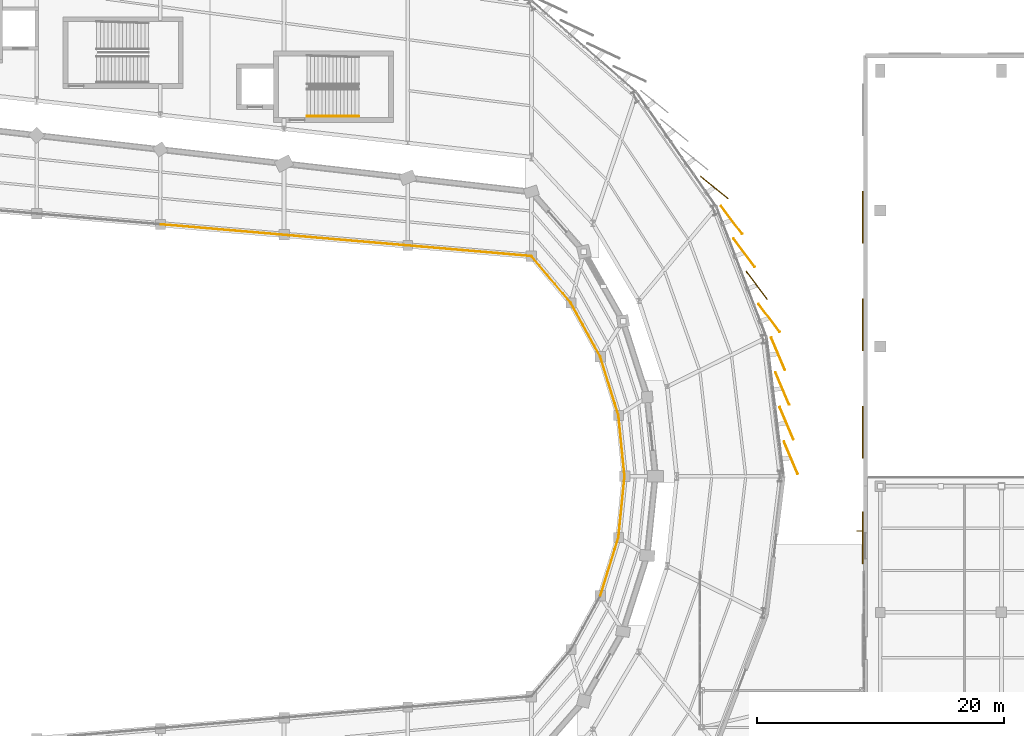
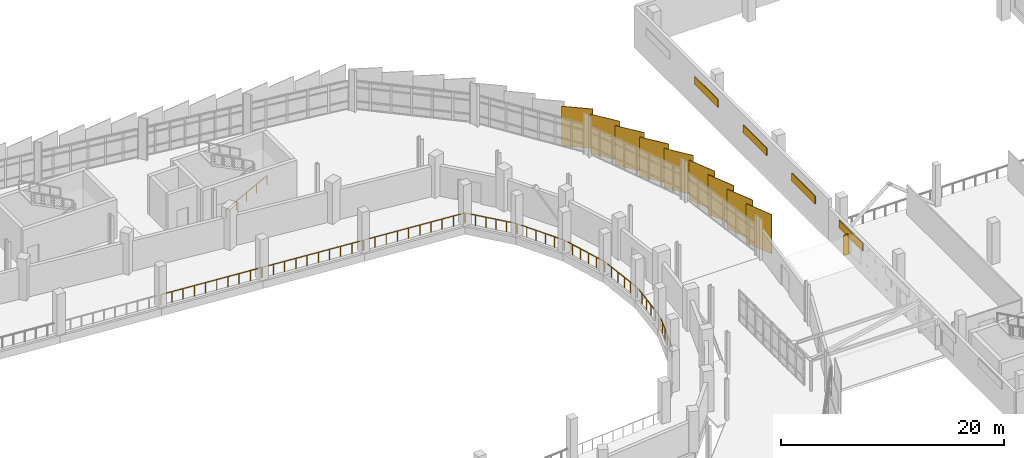
# One storey, part 123 of 125: 13 coverings, 10 railings, 1 shading device.
"""IFC4 building model written with IfcOpenShell, lengths in metres."""

from ifc_helpers import new_model, si_unit, direction, frame, origin, origin_2d, place, context, subcontext, project, spatial, rectangle, circle, extrude, material, layer, layer_set, type_object, element, save


model = new_model("IFC4")

# Units and contexts
model_context = context("Model", 3, precision=1e-05, world=origin(), true_north=direction((0.0, 1.0)))
body_context = subcontext(model_context, "Body", "Model", "MODEL_VIEW")
ifc_project = project(units=[si_unit("LENGTHUNIT", "METRE"), si_unit("AREAUNIT", "SQUARE_METRE"), si_unit("VOLUMEUNIT", "CUBIC_METRE"), si_unit("PLANEANGLEUNIT", "RADIAN"), si_unit("MASSUNIT", "GRAM", prefix="KILO")], contexts=[model_context])

# Site, building, storey
site_placement = place(None, origin())
site = spatial("IfcSite", under=ifc_project, at=site_placement, CompositionType="ELEMENT")
building_placement = place(site_placement, origin())
building = spatial("IfcBuilding", under=site, at=building_placement, Name="Sohan Crest Arena", CompositionType="ELEMENT")
storey_placement = place(building_placement, frame((0.0, 0.0, 9.0)))
storey = spatial("IfcBuildingStorey", under=building, at=storey_placement, Name="L02", CompositionType="ELEMENT", Elevation=9.0)

# Railings
ifc_material_1 = material(Name="Laminated glass and steel sightline guard", Category="steel")
railing_type_1 = type_object("IfcRailingType", Name="ARC-GRD-02", PredefinedType="GUARDRAIL", material=ifc_material_1)
railing_1_placement = place(storey_placement, frame((173.5830078125, 68.3740234375, 0.0)))
element("IfcRailing", 1, at=railing_1_placement, inside=storey, type_object=railing_type_1, Name="Bowl gallery edge guard GRD-239", PredefinedType="GUARDRAIL", context=body_context, shape_type="SweptSolid", body=[
    extrude(circle(Radius=0.02392578125, at=origin_2d()), frame((0.0, 0.0, 1.1259765625), z_axis=(0.295710925601, 0.955277471984, 0.0), x_axis=(-0.955277471984, 0.295710925601, 0.0)), (0.0, 0.0, 1.0), 4.8759765625),
    extrude(circle(Radius=0.02099609375, at=origin_2d()), origin(), (0.0, 0.0, 1.0), 1.101806640625),
    extrude(circle(Radius=0.02099609375, at=origin_2d()), frame((0.288330078125, 0.931640625, 0.0)), (0.0, 0.0, 1.0), 1.101806640625),
    extrude(circle(Radius=0.02099609375, at=origin_2d()), frame((0.57666015625, 1.86328125, 0.0)), (0.0, 0.0, 1.0), 1.101806640625),
    extrude(circle(Radius=0.02099609375, at=origin_2d()), frame((0.865234375, 2.794677734375, 0.0)), (0.0, 0.0, 1.0), 1.101806640625),
    extrude(circle(Radius=0.02099609375, at=origin_2d()), frame((1.153564453125, 3.726318359375, 0.0)), (0.0, 0.0, 1.0), 1.101806640625),
    extrude(circle(Radius=0.02099609375, at=origin_2d()), frame((1.44189453125, 4.657958984375, 0.0)), (0.0, 0.0, 1.0), 1.101806640625),
])
railing_2_placement = place(storey_placement, frame((175.041015625, 73.110107421875, 0.0)))
element("IfcRailing", 2, at=railing_2_placement, inside=storey, type_object=railing_type_1, Name="Bowl gallery edge guard GRD-240", PredefinedType="GUARDRAIL", context=body_context, shape_type="SweptSolid", body=[
    extrude(circle(Radius=0.02392578125, at=origin_2d()), frame((0.0, 0.0, 1.1259765625), z_axis=(0.099925241422, 0.99499494779, 0.0), x_axis=(-0.99499494779, 0.099925241422, 0.0)), (0.0, 0.0, 1.0), 4.874267578125),
    extrude(circle(Radius=0.02099609375, at=origin_2d()), origin(), (0.0, 0.0, 1.0), 1.101806640625),
    extrude(circle(Radius=0.02099609375, at=origin_2d()), frame((0.097412109375, 0.969970703125, 0.0)), (0.0, 0.0, 1.0), 1.101806640625),
    extrude(circle(Radius=0.02099609375, at=origin_2d()), frame((0.19482421875, 1.93994140625, 0.0)), (0.0, 0.0, 1.0), 1.101806640625),
    extrude(circle(Radius=0.02099609375, at=origin_2d()), frame((0.292236328125, 2.909912109375, 0.0)), (0.0, 0.0, 1.0), 1.101806640625),
    extrude(circle(Radius=0.02099609375, at=origin_2d()), frame((0.3896484375, 3.8798828125, 0.0)), (0.0, 0.0, 1.0), 1.101806640625),
    extrude(circle(Radius=0.02099609375, at=origin_2d()), frame((0.487060546875, 4.849853515625, 0.0)), (0.0, 0.0, 1.0), 1.101806640625),
])
railing_3_placement = place(storey_placement, frame((175.528076171875, 78.0400390625, 0.0)))
element("IfcRailing", 3, at=railing_3_placement, inside=storey, type_object=railing_type_1, Name="Bowl gallery edge guard GRD-241", PredefinedType="GUARDRAIL", context=body_context, shape_type="SweptSolid", body=[
    extrude(circle(Radius=0.02392578125, at=origin_2d()), frame((0.0, 0.0, 1.1259765625), z_axis=(-0.099925241422, 0.99499494779, 0.0), x_axis=(-0.99499494779, -0.099925241422, 0.0)), (0.0, 0.0, 1.0), 4.874267578125),
    extrude(circle(Radius=0.02099609375, at=origin_2d()), origin(), (0.0, 0.0, 1.0), 1.101806640625),
    extrude(circle(Radius=0.02099609375, at=origin_2d()), frame((-0.097412109375, 0.969970703125, 0.0)), (0.0, 0.0, 1.0), 1.101806640625),
    extrude(circle(Radius=0.02099609375, at=origin_2d()), frame((-0.19482421875, 1.93994140625, 0.0)), (0.0, 0.0, 1.0), 1.101806640625),
    extrude(circle(Radius=0.02099609375, at=origin_2d()), frame((-0.292236328125, 2.909912109375, 0.0)), (0.0, 0.0, 1.0), 1.101806640625),
    extrude(circle(Radius=0.02099609375, at=origin_2d()), frame((-0.3896484375, 3.8798828125, 0.0)), (0.0, 0.0, 1.0), 1.101806640625),
    extrude(circle(Radius=0.02099609375, at=origin_2d()), frame((-0.487060546875, 4.849853515625, 0.0)), (0.0, 0.0, 1.0), 1.101806640625),
])
railing_4_placement = place(storey_placement, frame((175.02490234375, 82.968017578125, 0.0)))
element("IfcRailing", 4, at=railing_4_placement, inside=storey, type_object=railing_type_1, Name="Bowl gallery edge guard GRD-242", PredefinedType="GUARDRAIL", context=body_context, shape_type="SweptSolid", body=[
    extrude(circle(Radius=0.02392578125, at=origin_2d()), frame((0.0, 0.0, 1.1259765625), z_axis=(-0.295710925601, 0.955277471984, 0.0), x_axis=(-0.955277471984, -0.295710925601, 0.0)), (0.0, 0.0, 1.0), 4.8759765625),
    extrude(circle(Radius=0.02099609375, at=origin_2d()), origin(), (0.0, 0.0, 1.0), 1.101806640625),
    extrude(circle(Radius=0.02099609375, at=origin_2d()), frame((-0.288330078125, 0.931640625, 0.0)), (0.0, 0.0, 1.0), 1.101806640625),
    extrude(circle(Radius=0.02099609375, at=origin_2d()), frame((-0.57666015625, 1.86328125, 0.0)), (0.0, 0.0, 1.0), 1.101806640625),
    extrude(circle(Radius=0.02099609375, at=origin_2d()), frame((-0.865234375, 2.794677734375, 0.0)), (0.0, 0.0, 1.0), 1.101806640625),
    extrude(circle(Radius=0.02099609375, at=origin_2d()), frame((-1.153564453125, 3.726318359375, 0.0)), (0.0, 0.0, 1.0), 1.101806640625),
    extrude(circle(Radius=0.02099609375, at=origin_2d()), frame((-1.44189453125, 4.657958984375, 0.0)), (0.0, 0.0, 1.0), 1.101806640625),
])
railing_5_placement = place(storey_placement, frame((173.552001953125, 87.698974609375, 0.0)))
element("IfcRailing", 5, at=railing_5_placement, inside=storey, type_object=railing_type_1, Name="Bowl gallery edge guard GRD-243", PredefinedType="GUARDRAIL", context=body_context, shape_type="SweptSolid", body=[
    extrude(circle(Radius=0.02392578125, at=origin_2d()), frame((0.0, 0.0, 1.1259765625), z_axis=(-0.47973946728, 0.877410988952, 0.0), x_axis=(-0.877410988952, -0.47973946728, 0.0)), (0.0, 0.0, 1.0), 4.875732421875),
    extrude(circle(Radius=0.02099609375, at=origin_2d()), origin(), (0.0, 0.0, 1.0), 1.101806640625),
    extrude(circle(Radius=0.02099609375, at=origin_2d()), frame((-0.4677734375, 0.855712890625, 0.0)), (0.0, 0.0, 1.0), 1.101806640625),
    extrude(circle(Radius=0.02099609375, at=origin_2d()), frame((-0.935546875, 1.711181640625, 0.0)), (0.0, 0.0, 1.0), 1.101806640625),
    extrude(circle(Radius=0.02099609375, at=origin_2d()), frame((-1.403564453125, 2.56689453125, 0.0)), (0.0, 0.0, 1.0), 1.101806640625),
    extrude(circle(Radius=0.02099609375, at=origin_2d()), frame((-1.871337890625, 3.42236328125, 0.0)), (0.0, 0.0, 1.0), 1.101806640625),
    extrude(circle(Radius=0.02099609375, at=origin_2d()), frame((-2.339111328125, 4.278076171875, 0.0)), (0.0, 0.0, 1.0), 1.101806640625),
])
railing_6_placement = place(storey_placement, frame((171.16796875, 92.04296875, 0.0)))
element("IfcRailing", 6, at=railing_6_placement, inside=storey, type_object=railing_type_1, Name="Bowl gallery edge guard GRD-244", PredefinedType="GUARDRAIL", context=body_context, shape_type="SweptSolid", body=[
    extrude(circle(Radius=0.02392578125, at=origin_2d()), frame((0.0, 0.0, 1.1259765625), z_axis=(-0.644656953224, 0.764471982914, 0.0), x_axis=(-0.764471982914, -0.644656953224, 0.0)), (0.0, 0.0, 1.0), 4.8740234375),
    extrude(circle(Radius=0.02099609375, at=origin_2d()), origin(), (0.0, 0.0, 1.0), 1.101806640625),
    extrude(circle(Radius=0.02099609375, at=origin_2d()), frame((-0.62841796875, 0.7451171875, 0.0)), (0.0, 0.0, 1.0), 1.101806640625),
    extrude(circle(Radius=0.02099609375, at=origin_2d()), frame((-1.2568359375, 1.490478515625, 0.0)), (0.0, 0.0, 1.0), 1.101806640625),
    extrude(circle(Radius=0.02099609375, at=origin_2d()), frame((-1.88525390625, 2.235595703125, 0.0)), (0.0, 0.0, 1.0), 1.101806640625),
    extrude(circle(Radius=0.02099609375, at=origin_2d()), frame((-2.513671875, 2.98095703125, 0.0)), (0.0, 0.0, 1.0), 1.101806640625),
    extrude(circle(Radius=0.02099609375, at=origin_2d()), frame((-3.14208984375, 3.72607421875, 0.0)), (0.0, 0.0, 1.0), 1.101806640625),
])
for number, where, name in (
    (7, (167.9599609375, 95.802978515625, 0.0), "Bowl gallery edge guard GRD-245"),
    (8, (157.9599609375, 96.659912109375, 0.0), "Bowl gallery edge guard GRD-246"),
):
    element("IfcRailing", number, at=place(storey_placement, frame(where)), inside=storey, type_object=railing_type_1, Name=name, PredefinedType="GUARDRAIL", context=body_context, shape_type="SweptSolid", body=[
        extrude(circle(Radius=0.02392578125, at=origin_2d()), frame((0.0, 0.0, 1.1259765625), z_axis=(-0.996339849936, 0.085480427173, 0.0), x_axis=(-0.085480427173, -0.996339849936, 0.0)), (0.0, 0.0, 1.0), 9.956298828125),
        extrude(circle(Radius=0.02099609375, at=origin_2d()), origin(), (0.0, 0.0, 1.0), 1.101806640625),
        extrude(circle(Radius=0.02099609375, at=origin_2d()), frame((-1.102294921875, 0.094482421875, 0.0)), (0.0, 0.0, 1.0), 1.101806640625),
        extrude(circle(Radius=0.02099609375, at=origin_2d()), frame((-2.204345703125, 0.189208984375, 0.0)), (0.0, 0.0, 1.0), 1.101806640625),
        extrude(circle(Radius=0.02099609375, at=origin_2d()), frame((-3.306640625, 0.28369140625, 0.0)), (0.0, 0.0, 1.0), 1.101806640625),
        extrude(circle(Radius=0.02099609375, at=origin_2d()), frame((-4.408935546875, 0.378173828125, 0.0)), (0.0, 0.0, 1.0), 1.101806640625),
        extrude(circle(Radius=0.02099609375, at=origin_2d()), frame((-5.510986328125, 0.472900390625, 0.0)), (0.0, 0.0, 1.0), 1.101806640625),
        extrude(circle(Radius=0.02099609375, at=origin_2d()), frame((-6.61328125, 0.5673828125, 0.0)), (0.0, 0.0, 1.0), 1.101806640625),
        extrude(circle(Radius=0.02099609375, at=origin_2d()), frame((-7.715576171875, 0.661865234375, 0.0)), (0.0, 0.0, 1.0), 1.101806640625),
        extrude(circle(Radius=0.02099609375, at=origin_2d()), frame((-8.817626953125, 0.756591796875, 0.0)), (0.0, 0.0, 1.0), 1.101806640625),
        extrude(circle(Radius=0.02099609375, at=origin_2d()), frame((-9.919921875, 0.85107421875, 0.0)), (0.0, 0.0, 1.0), 1.101806640625),
    ])
railing_7_placement = place(storey_placement, frame((147.9599609375, 97.51708984375, 0.0)))
element("IfcRailing", 9, at=railing_7_placement, inside=storey, type_object=railing_type_1, Name="Bowl gallery edge guard GRD-247", PredefinedType="GUARDRAIL", context=body_context, shape_type="SweptSolid", body=[
    extrude(circle(Radius=0.02392578125, at=origin_2d()), frame((0.0, 0.0, 1.1259765625), z_axis=(-0.996341938042, 0.085456085206, 0.0), x_axis=(-0.085456085206, -0.996341938042, 0.0)), (0.0, 0.0, 1.0), 9.956298828125),
    extrude(circle(Radius=0.02099609375, at=origin_2d()), origin(), (0.0, 0.0, 1.0), 1.101806640625),
    extrude(circle(Radius=0.02099609375, at=origin_2d()), frame((-1.102294921875, 0.094482421875, 0.0)), (0.0, 0.0, 1.0), 1.101806640625),
    extrude(circle(Radius=0.02099609375, at=origin_2d()), frame((-2.204345703125, 0.18896484375, 0.0)), (0.0, 0.0, 1.0), 1.101806640625),
    extrude(circle(Radius=0.02099609375, at=origin_2d()), frame((-3.306640625, 0.28369140625, 0.0)), (0.0, 0.0, 1.0), 1.101806640625),
    extrude(circle(Radius=0.02099609375, at=origin_2d()), frame((-4.408935546875, 0.378173828125, 0.0)), (0.0, 0.0, 1.0), 1.101806640625),
    extrude(circle(Radius=0.02099609375, at=origin_2d()), frame((-5.510986328125, 0.47265625, 0.0)), (0.0, 0.0, 1.0), 1.101806640625),
    extrude(circle(Radius=0.02099609375, at=origin_2d()), frame((-6.61328125, 0.567138671875, 0.0)), (0.0, 0.0, 1.0), 1.101806640625),
    extrude(circle(Radius=0.02099609375, at=origin_2d()), frame((-7.715576171875, 0.661865234375, 0.0)), (0.0, 0.0, 1.0), 1.101806640625),
    extrude(circle(Radius=0.02099609375, at=origin_2d()), frame((-8.817626953125, 0.75634765625, 0.0)), (0.0, 0.0, 1.0), 1.101806640625),
    extrude(circle(Radius=0.02099609375, at=origin_2d()), frame((-9.919921875, 0.850830078125, 0.0)), (0.0, 0.0, 1.0), 1.101806640625),
])
ifc_material_2 = material(Name="Brushed stainless steel stair handrail", Category="steel")
railing_type_2 = type_object("IfcRailingType", Name="ARC-HR-01", PredefinedType="HANDRAIL", material=ifc_material_2)
railing_8_placement = place(storey_placement, frame((149.85009765625, 107.110107421875, 0.0)))
element("IfcRailing", 10, at=railing_8_placement, inside=storey, type_object=railing_type_2, Name="Stair pitch handrail HR-193", PredefinedType="HANDRAIL", context=body_context, shape_type="SweptSolid", body=[
    extrude(circle(Radius=0.02392578125, at=origin_2d()), frame((0.0, 0.0, 0.97607421875), z_axis=(0.881477684796, 0.0, 0.472225678258), x_axis=(0.0, 1.0, 0.0)), (0.0, 0.0, 1.0), 4.7646484375),
    extrude(circle(Radius=0.02099609375, at=origin_2d()), origin(), (0.0, 0.0, 1.0), 0.951904296875),
    extrude(circle(Radius=0.02099609375, at=origin_2d()), frame((1.050048828125, 0.0, 0.5625)), (0.0, 0.0, 1.0), 0.951904296875),
    extrude(circle(Radius=0.02099609375, at=origin_2d()), frame((2.10009765625, 0.0, 1.125)), (0.0, 0.0, 1.0), 0.951904296875),
    extrude(circle(Radius=0.02099609375, at=origin_2d()), frame((3.14990234375, 0.0, 1.6875)), (0.0, 0.0, 1.0), 0.951904296875),
    extrude(circle(Radius=0.02099609375, at=origin_2d()), frame((4.199951171875, 0.0, 2.25)), (0.0, 0.0, 1.0), 0.951904296875),
])

# Shading device
ifc_material_3 = material(Name="Glazed terracotta ceramic solar fin", Category="masonry")
ifc_layer_1 = layer(ifc_material_3, 0.070068359375, Name="Glazed terracotta ceramic solar fin")
ifc_layer_set_1 = layer_set([ifc_layer_1], Name="Glazed terracotta ceramic solar fin")
shading_device_type = type_object("IfcShadingDeviceType", Name="ARC-SHD-FIN1", PredefinedType="USERDEFINED", material=ifc_layer_set_1)
shading_device_placement = place(storey_placement, frame((194.56494140625, 73.580078125, 0.75), z_axis=(0.0, 0.0, 1.0), x_axis=(0.0, -1.0, 0.0)))
element("IfcShadingDevice", 11, at=shading_device_placement, inside=storey, type_object=shading_device_type, Name="Solar shading fin FIN-023", ObjectType="FIN", PredefinedType="USERDEFINED", context=body_context, shape_type="SweptSolid", body=[
    extrude(rectangle(XDim=0.070068359375, YDim=0.550048828125, at=origin_2d()), origin(), (0.0, 0.0, 1.0), 2.199951171875),
])

# Coverings
ifc_material_4 = material(Name="Honed dark basalt stone cladding", Category="masonry")
ifc_layer_2 = layer(ifc_material_4, 0.0849609375, Name="Honed dark basalt stone cladding")
ifc_layer_set_2 = layer_set([ifc_layer_2], Name="Honed dark basalt stone cladding")
covering_type_1 = type_object("IfcCoveringType", Name="COV-BAS", PredefinedType="CLADDING", material=ifc_layer_set_2)
for number, where, z_axis, x_axis, name in (
    (12, (194.79296875, 98.949951171875, 2.625), (0.0, 0.0, 1.0), (0.0, -1.0, 0.0), "Dark basalt facade panel DB-0830"),
    (13, (194.79296875, 90.25, 2.625), (0.0, 0.0, 1.0), (0.0, -1.0, 0.0), "Dark basalt facade panel DB-0831"),
    (14, (194.79296875, 81.550048828125, 2.625), (0.0, 0.0, 1.0), (0.0, -1.0, 0.0), "Dark basalt facade panel DB-0832"),
    (15, (194.79296875, 73.050048828125, 2.625), (0.0, 0.0, 1.0), (0.0, -1.0, 0.0), "Dark basalt facade panel DB-0833"),
):
    element("IfcCovering", number, at=place(storey_placement, frame(where, z_axis=z_axis, x_axis=x_axis)), inside=storey, type_object=covering_type_1, Name=name, PredefinedType="CLADDING", context=body_context, shape_type="SweptSolid", body=[
        extrude(rectangle(XDim=4.199951171875, YDim=0.0849609375, at=origin_2d()), origin(), (0.0, 0.0, 1.0), 0.85009765625),
    ])
ifc_material_5 = material(Name="Glazed ivory trencadis ceramic cladding", Category="masonry")
ifc_layer_3 = layer(ifc_material_5, 0.06494140625, Name="Glazed ivory trencadis ceramic cladding")
ifc_layer_set_3 = layer_set([ifc_layer_3], Name="Glazed ivory trencadis ceramic cladding")
covering_type_2 = type_object("IfcCoveringType", Name="COV-SC-IV", PredefinedType="CLADDING", material=ifc_layer_set_3)
for number, where, z_axis, x_axis, name in (
    (16, (188.971923828125, 79.493896484375, -0.2001953125), (0.0, 0.0, 1.0), (-0.390731128489, 0.920504853452, 0.0), "Rotated trencadis ceramic scale panel SC-0217"),
    (17, (188.6279296875, 82.297119140625, -0.2001953125), (0.0, 0.0, 1.0), (-0.390731128489, 0.920504853452, 0.0), "Rotated trencadis ceramic scale panel SC-0218"),
    (18, (187.94091796875, 87.903076171875, -0.2001953125), (0.0, 0.0, 1.0), (-0.390731128489, 0.920504853452, 0.0), "Rotated trencadis ceramic scale panel SC-0220"),
    (19, (187.219970703125, 90.802001953125, -0.2001953125), (0.0, 0.0, 1.0), (-0.601815023152, 0.798635510047, 0.0), "Rotated trencadis ceramic scale panel SC-0221"),
    (20, (185.199951171875, 96.076904296875, -0.2001953125), (0.0, 0.0, 1.0), (-0.601815023152, 0.798635510047, 0.0), "Rotated trencadis ceramic scale panel SC-0223"),
    (21, (184.19091796875, 98.714111328125, -0.2001953125), (0.0, 0.0, 1.0), (-0.601815023152, 0.798635510047, 0.0), "Rotated trencadis ceramic scale panel SC-0224"),
):
    element("IfcCovering", number, at=place(storey_placement, frame(where, z_axis=z_axis, x_axis=x_axis)), inside=storey, type_object=covering_type_2, Name=name, PredefinedType="CLADDING", context=body_context, shape_type="SweptSolid", body=[
        extrude(rectangle(XDim=2.85009765625, YDim=0.06494140625, at=origin_2d()), origin(), (0.0, 0.0, 1.0), 4.300048828125),
    ])
ifc_material_6 = material(Name="Glazed terracotta trencadis ceramic cladding", Category="masonry")
ifc_layer_4 = layer(ifc_material_6, 0.074951171875, Name="Glazed terracotta trencadis ceramic cladding")
ifc_layer_set_4 = layer_set([ifc_layer_4], Name="Glazed terracotta trencadis ceramic cladding")
covering_type_3 = type_object("IfcCoveringType", Name="COV-SC-TC", PredefinedType="CLADDING", material=ifc_layer_set_4)
for number, where, z_axis, x_axis, name in (
    (22, (188.284912109375, 85.10009765625, -0.2001953125), (0.0, 0.0, 1.0), (-0.390731128489, 0.920504853452, 0.0), "Rotated trencadis ceramic scale panel SC-0219"),
    (23, (186.2099609375, 93.43994140625, -0.2001953125), (0.0, 0.0, 1.0), (-0.601815023152, 0.798635510047, 0.0), "Rotated trencadis ceramic scale panel SC-0222"),
    (24, (182.791015625, 101.35400390625, -0.2001953125), (0.0, 0.0, 1.0), (-0.776046407067, 0.630675807431, 0.0), "Rotated trencadis ceramic scale panel SC-0225"),
):
    element("IfcCovering", number, at=place(storey_placement, frame(where, z_axis=z_axis, x_axis=x_axis)), inside=storey, type_object=covering_type_3, Name=name, PredefinedType="CLADDING", context=body_context, shape_type="SweptSolid", body=[
        extrude(rectangle(XDim=2.85009765625, YDim=0.074951171875, at=origin_2d()), origin(), (0.0, 0.0, 1.0), 4.300048828125),
    ])

save(model, "model.ifc")
